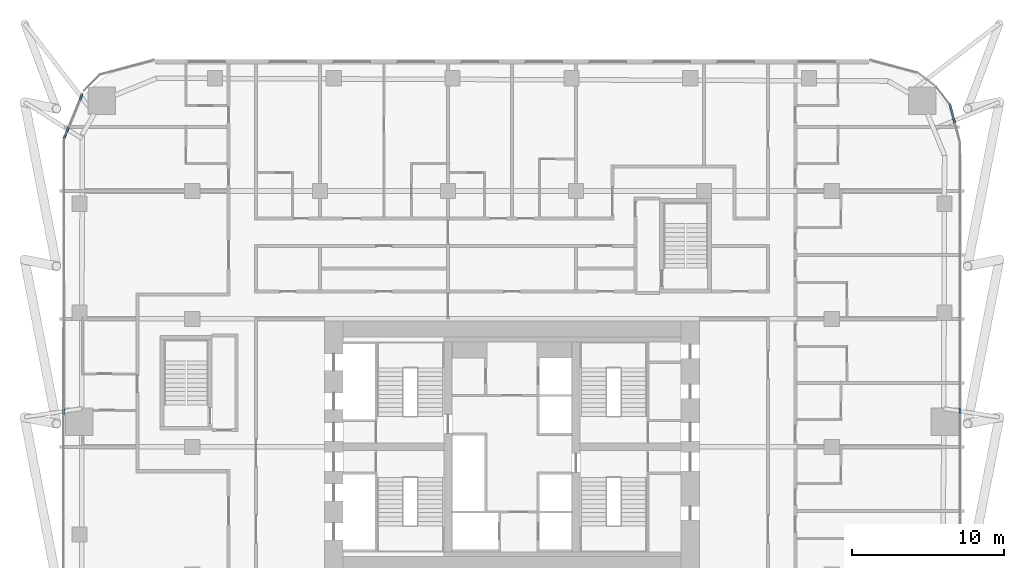
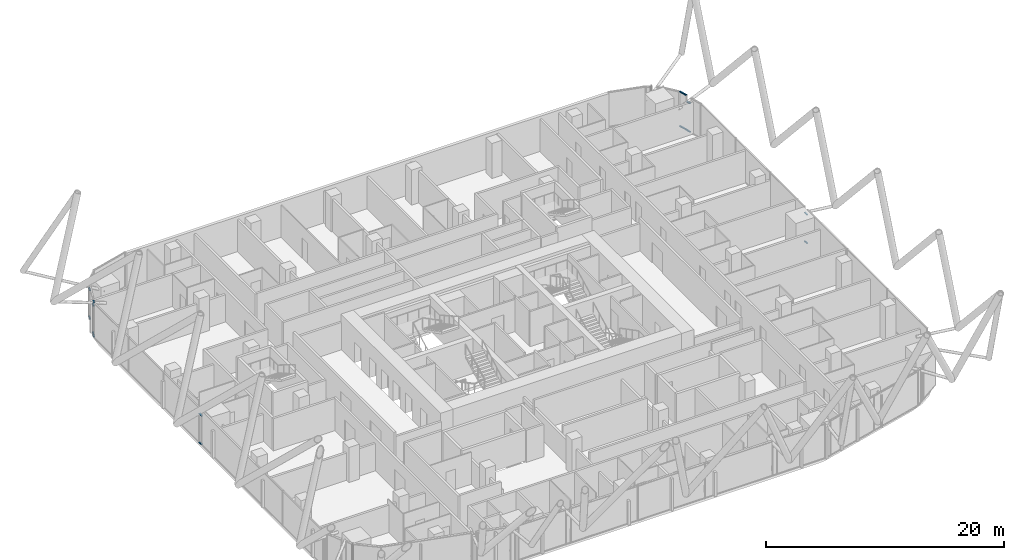
# One storey, part 18 of 36: 14 members, 7 elements without a shape of their own.
"""IFC4 building model written with IfcOpenShell, lengths in metres."""

from ifc_helpers import new_model, si_unit, direction, frame, origin, origin_2d, place, context, subcontext, project, spatial, rectangle, extrude, material, layer, layer_set, material_profile, profile_set, type_object, element, aggregate, save


model = new_model("IFC4")

# Units and contexts
model_context = context("Model", 3, precision=1e-05, world=origin(), true_north=direction((0.0, 1.0)))
body_context = subcontext(model_context, "Body", "Model", "MODEL_VIEW")
ifc_project = project(units=[si_unit("LENGTHUNIT", "METRE"), si_unit("AREAUNIT", "SQUARE_METRE"), si_unit("VOLUMEUNIT", "CUBIC_METRE"), si_unit("PLANEANGLEUNIT", "RADIAN"), si_unit("MASSUNIT", "GRAM", prefix="KILO")], contexts=[model_context])

# Site, building, storey
site_placement = place(None, origin())
site = spatial("IfcSite", under=ifc_project, at=site_placement, CompositionType="ELEMENT")
building_placement = place(site_placement, origin())
building = spatial("IfcBuilding", under=site, at=building_placement, Name="Marenta Gate Hotel Tower", CompositionType="ELEMENT")
storey_placement = place(building_placement, frame((0.0, 0.0, 83.300048828125)))
storey = spatial("IfcBuildingStorey", under=building, at=storey_placement, Name="L19", CompositionType="ELEMENT", Elevation=83.300048828125)

# Curtain wall, members
ifc_material_1 = material(Name="Tinted insulated glass in bronze anodised frame", Category="glass")
ifc_layer = layer(ifc_material_1, 0.1201171875)
ifc_layer_set = layer_set([ifc_layer], Name="Tinted insulated glass in bronze anodised frame")
curtain_wall_type = type_object("IfcCurtainWallType", Name="Tower unitised curtain wall CW1", PredefinedType="NOTDEFINED", material=ifc_layer_set)
curtain_wall_1_placement = place(storey_placement, origin())
curtain_wall_1 = element("IfcCurtainWall", 1, at=curtain_wall_1_placement, inside=storey, type_object=curtain_wall_type, Name="CW1 run G02", PredefinedType="NOTDEFINED")
ifc_material_2 = material(Name="Bronze anodised aluminium", Category="aluminium")
ifc_material_profile = material_profile(ifc_material_2, rectangle(XDim=0.1201171875, YDim=0.06005859375, at=origin_2d()), Name="Transom CW1 60x120 bronze anodised aluminium")
ifc_profile_set = profile_set([ifc_material_profile], Name="Bronze anodised aluminium")
member_type = type_object("IfcMemberType", Name="Transom CW1 60x120 bronze anodised aluminium", PredefinedType="USERDEFINED", material=ifc_profile_set)
member_1_placement = place(storey_placement, frame((-28.208984375, 31.5712890625, 0.030029296875), z_axis=(-0.382927081121, -0.923778572248, 0.0), x_axis=(0.923778572248, -0.382927081121, 0.0)))
member_1 = element("IfcMember", 2, at=member_1_placement, type_object=member_type, Name="CW1 transom 1.1", ObjectType="TRANSOM", PredefinedType="USERDEFINED", context=body_context, shape_type="SweptSolid", body=[
    extrude(rectangle(XDim=0.1201171875, YDim=0.06005859375, at=origin_2d()), origin(), (0.0, 0.0, 1.0), 0.462158203125),
])
member_2_placement = place(storey_placement, frame((-28.208984375, 31.5712890625, 2.970458984375), z_axis=(-0.382927081121, -0.923778572248, 0.0), x_axis=(0.923778572248, -0.382927081121, 0.0)))
member_2 = element("IfcMember", 3, at=member_2_placement, type_object=member_type, Name="CW1 transom 1.2", ObjectType="TRANSOM", PredefinedType="USERDEFINED", context=body_context, shape_type="SweptSolid", body=[
    extrude(rectangle(XDim=0.1201171875, YDim=0.06005859375, at=origin_2d()), origin(), (0.0, 0.0, 1.0), 0.462158203125),
])
aggregate(curtain_wall_1, [member_1, member_2])

curtain_wall_2_placement = place(storey_placement, origin())
curtain_wall_2 = element("IfcCurtainWall", 4, at=curtain_wall_2_placement, inside=storey, type_object=curtain_wall_type, Name="CW1 run G04", PredefinedType="NOTDEFINED")
member_3_placement = place(storey_placement, frame((-29.108154296875, 29.400390625, 0.030029296875), z_axis=(-0.382837108959, -0.923815862607, 0.0), x_axis=(0.923815862607, -0.382837108959, 0.0)))
member_3 = element("IfcMember", 5, at=member_3_placement, type_object=member_type, Name="CW1 transom 1.1", ObjectType="TRANSOM", PredefinedType="USERDEFINED", context=body_context, shape_type="SweptSolid", body=[
    extrude(rectangle(XDim=0.1201171875, YDim=0.06005859375, at=origin_2d()), origin(), (0.0, 0.0, 1.0), 0.39990234375),
])
member_4_placement = place(storey_placement, frame((-29.108154296875, 29.400390625, 2.970458984375), z_axis=(-0.382837108959, -0.923815862607, 0.0), x_axis=(0.923815862607, -0.382837108959, 0.0)))
member_4 = element("IfcMember", 6, at=member_4_placement, type_object=member_type, Name="CW1 transom 1.2", ObjectType="TRANSOM", PredefinedType="USERDEFINED", context=body_context, shape_type="SweptSolid", body=[
    extrude(rectangle(XDim=0.1201171875, YDim=0.06005859375, at=origin_2d()), origin(), (0.0, 0.0, 1.0), 0.39990234375),
])
aggregate(curtain_wall_2, [member_3, member_4])

curtain_wall_3_placement = place(storey_placement, origin())
curtain_wall_3 = element("IfcCurtainWall", 7, at=curtain_wall_3_placement, inside=storey, type_object=curtain_wall_type, Name="CW1 run G05", PredefinedType="NOTDEFINED")
member_5_placement = place(storey_placement, frame((-29.2841796875, 28.9755859375, 0.030029296875), z_axis=(-0.382802560388, -0.92383017907, 0.0), x_axis=(0.92383017907, -0.382802560388, 0.0)))
member_5 = element("IfcMember", 8, at=member_5_placement, type_object=member_type, Name="CW1 transom 1.1", ObjectType="TRANSOM", PredefinedType="USERDEFINED", context=body_context, shape_type="SweptSolid", body=[
    extrude(rectangle(XDim=0.1201171875, YDim=0.06005859375, at=origin_2d()), origin(), (0.0, 0.0, 1.0), 0.334716796875),
])
member_6_placement = place(storey_placement, frame((-29.2841796875, 28.9755859375, 3.570068359375), z_axis=(-0.382802560388, -0.92383017907, 0.0), x_axis=(0.92383017907, -0.382802560388, 0.0)))
member_6 = element("IfcMember", 9, at=member_6_placement, type_object=member_type, Name="CW1 transom 1.2", ObjectType="TRANSOM", PredefinedType="USERDEFINED", context=body_context, shape_type="SweptSolid", body=[
    extrude(rectangle(XDim=0.1201171875, YDim=0.06005859375, at=origin_2d()), origin(), (0.0, 0.0, 1.0), 0.334716796875),
])
aggregate(curtain_wall_3, [member_5, member_6])

curtain_wall_4_placement = place(storey_placement, origin())
curtain_wall_4 = element("IfcCurtainWall", 10, at=curtain_wall_4_placement, inside=storey, type_object=curtain_wall_type, Name="CW1 run G07", PredefinedType="NOTDEFINED")
member_7_placement = place(storey_placement, frame((-29.440185546875, 10.90087890625, 0.030029296875), z_axis=(-0.001839359243, -0.999998308377, 0.0), x_axis=(0.999998308377, -0.001839359243, 0.0)))
member_7 = element("IfcMember", 11, at=member_7_placement, type_object=member_type, Name="CW1 transom 1.1", ObjectType="TRANSOM", PredefinedType="USERDEFINED", context=body_context, shape_type="SweptSolid", body=[
    extrude(rectangle(XDim=0.1201171875, YDim=0.06005859375, at=origin_2d()), origin(), (0.0, 0.0, 1.0), 0.398193359375),
])
member_8_placement = place(storey_placement, frame((-29.440185546875, 10.90087890625, 2.970458984375), z_axis=(-0.001839359243, -0.999998308377, 0.0), x_axis=(0.999998308377, -0.001839359243, 0.0)))
member_8 = element("IfcMember", 12, at=member_8_placement, type_object=member_type, Name="CW1 transom 1.2", ObjectType="TRANSOM", PredefinedType="USERDEFINED", context=body_context, shape_type="SweptSolid", body=[
    extrude(rectangle(XDim=0.1201171875, YDim=0.06005859375, at=origin_2d()), origin(), (0.0, 0.0, 1.0), 0.398193359375),
])
aggregate(curtain_wall_4, [member_7, member_8])

curtain_wall_5_placement = place(storey_placement, origin())
curtain_wall_5 = element("IfcCurtainWall", 13, at=curtain_wall_5_placement, inside=storey, type_object=curtain_wall_type, Name="CW1 run G33", PredefinedType="NOTDEFINED")
member_9_placement = place(storey_placement, frame((29.4140625, 10.576904296875, 0.030029296875), z_axis=(0.0, 1.0, 0.0), x_axis=(-1.0, 0.0, 0.0)))
member_9 = element("IfcMember", 14, at=member_9_placement, type_object=member_type, Name="CW1 transom 1.1", ObjectType="TRANSOM", PredefinedType="USERDEFINED", context=body_context, shape_type="SweptSolid", body=[
    extrude(rectangle(XDim=0.1201171875, YDim=0.06005859375, at=origin_2d()), origin(), (0.0, 0.0, 1.0), 0.3984375),
])
member_10_placement = place(storey_placement, frame((29.4140625, 10.576904296875, 2.970458984375), z_axis=(0.0, 1.0, 0.0), x_axis=(-1.0, 0.0, 0.0)))
member_10 = element("IfcMember", 15, at=member_10_placement, type_object=member_type, Name="CW1 transom 1.2", ObjectType="TRANSOM", PredefinedType="USERDEFINED", context=body_context, shape_type="SweptSolid", body=[
    extrude(rectangle(XDim=0.1201171875, YDim=0.06005859375, at=origin_2d()), origin(), (0.0, 0.0, 1.0), 0.3984375),
])
aggregate(curtain_wall_5, [member_9, member_10])

curtain_wall_6_placement = place(storey_placement, origin())
curtain_wall_6 = element("IfcCurtainWall", 16, at=curtain_wall_6_placement, inside=storey, type_object=curtain_wall_type, Name="CW1 run G36", PredefinedType="NOTDEFINED")
member_11_placement = place(storey_placement, frame((29.075927734375, 29.653564453125, 0.030029296875), z_axis=(-0.258582209755, 0.965989255012, 0.0), x_axis=(-0.965989255012, -0.258582209755, 0.0)))
member_11 = element("IfcMember", 17, at=member_11_placement, type_object=member_type, Name="CW1 transom 1.1", ObjectType="TRANSOM", PredefinedType="USERDEFINED", context=body_context, shape_type="SweptSolid", body=[
    extrude(rectangle(XDim=0.1201171875, YDim=0.06005859375, at=origin_2d()), origin(), (0.0, 0.0, 1.0), 0.396484375),
])
member_12_placement = place(storey_placement, frame((29.075927734375, 29.653564453125, 2.970458984375), z_axis=(-0.258582209755, 0.965989255012, 0.0), x_axis=(-0.965989255012, -0.258582209755, 0.0)))
member_12 = element("IfcMember", 18, at=member_12_placement, type_object=member_type, Name="CW1 transom 1.2", ObjectType="TRANSOM", PredefinedType="USERDEFINED", context=body_context, shape_type="SweptSolid", body=[
    extrude(rectangle(XDim=0.1201171875, YDim=0.06005859375, at=origin_2d()), origin(), (0.0, 0.0, 1.0), 0.396484375),
])
aggregate(curtain_wall_6, [member_11, member_12])

curtain_wall_7_placement = place(storey_placement, origin())
curtain_wall_7 = element("IfcCurtainWall", 19, at=curtain_wall_7_placement, inside=storey, type_object=curtain_wall_type, Name="CW1 run G37", PredefinedType="NOTDEFINED")
member_13_placement = place(storey_placement, frame((28.957763671875, 30.094482421875, 0.030029296875), z_axis=(-0.258919656878, 0.965898861829, 0.0), x_axis=(-0.965898861829, -0.258919656878, 0.0)))
member_13 = element("IfcMember", 20, at=member_13_placement, type_object=member_type, Name="CW1 transom 1.1", ObjectType="TRANSOM", PredefinedType="USERDEFINED", context=body_context, shape_type="SweptSolid", body=[
    extrude(rectangle(XDim=0.1201171875, YDim=0.06005859375, at=origin_2d()), origin(), (0.0, 0.0, 1.0), 0.797607421875),
])
member_14_placement = place(storey_placement, frame((28.957763671875, 30.094482421875, 3.570068359375), z_axis=(-0.258919656878, 0.965898861829, 0.0), x_axis=(-0.965898861829, -0.258919656878, 0.0)))
member_14 = element("IfcMember", 21, at=member_14_placement, type_object=member_type, Name="CW1 transom 1.2", ObjectType="TRANSOM", PredefinedType="USERDEFINED", context=body_context, shape_type="SweptSolid", body=[
    extrude(rectangle(XDim=0.1201171875, YDim=0.06005859375, at=origin_2d()), origin(), (0.0, 0.0, 1.0), 0.797607421875),
])
aggregate(curtain_wall_7, [member_13, member_14])

save(model, "model.ifc")
